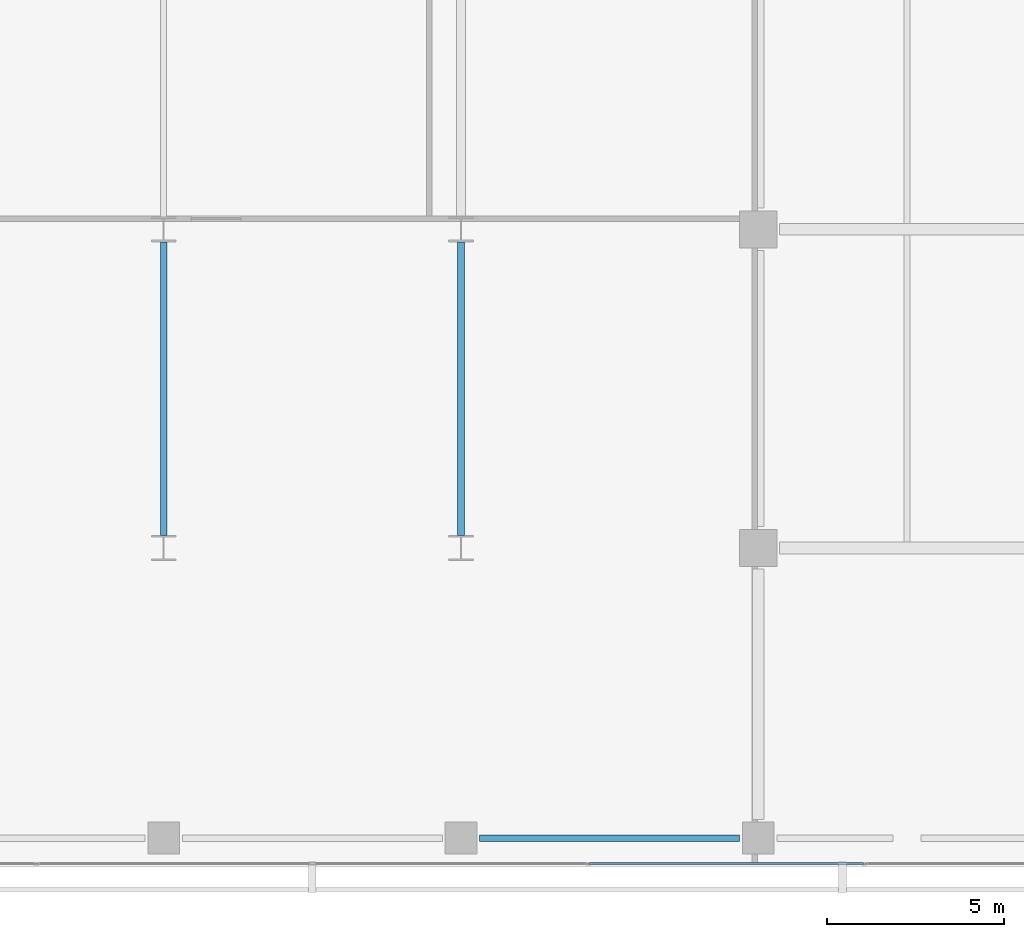
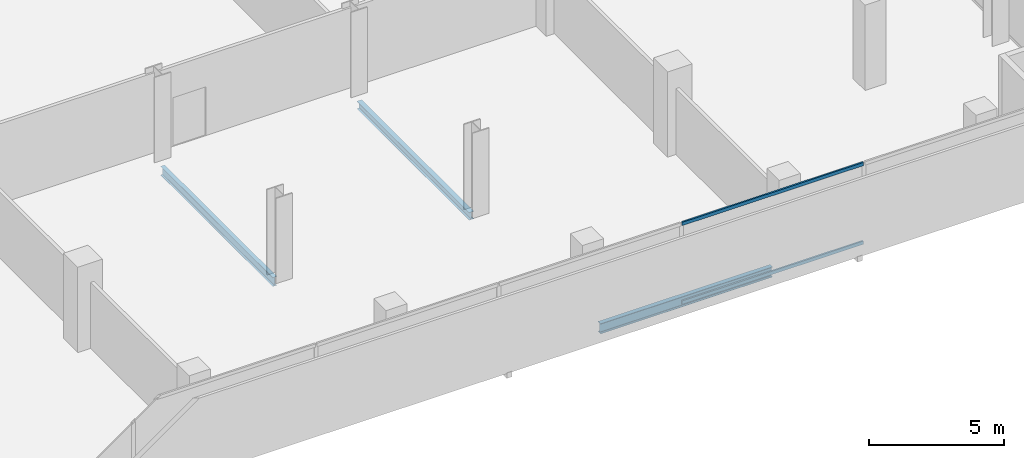
# One storey, part 9 of 31: 3 beams, 2 members, 1 element without a shape of its own.
"""IFC4 building model written with IfcOpenShell, lengths in metres."""

from ifc_helpers import new_model, si_unit, direction, frame, origin, origin_2d, place, context, subcontext, project, spatial, hollow_rectangle, i_section, extrude, material, layer, layer_set, material_profile, profile_set, type_object, element, aggregate, save


model = new_model("IFC4")

# Units and contexts
model_context = context("Model", 3, precision=1e-05, world=origin(), true_north=direction((0.0, 1.0)))
body_context = subcontext(model_context, "Body", "Model", "MODEL_VIEW")
ifc_project = project(units=[si_unit("LENGTHUNIT", "METRE"), si_unit("AREAUNIT", "SQUARE_METRE"), si_unit("VOLUMEUNIT", "CUBIC_METRE"), si_unit("PLANEANGLEUNIT", "RADIAN"), si_unit("MASSUNIT", "GRAM", prefix="KILO")], contexts=[model_context])

# Site, building, storey
site_placement = place(None, origin())
site = spatial("IfcSite", under=ifc_project, at=site_placement, CompositionType="ELEMENT")
building_placement = place(site_placement, origin())
building = spatial("IfcBuilding", under=site, at=building_placement, Name="Maruvema Waterfront Hotel and Observation Tower", CompositionType="ELEMENT")
storey_placement = place(building_placement, frame((0.0, 0.0, 26.949951171875)))
storey = spatial("IfcBuildingStorey", under=building, at=storey_placement, Name="L05", CompositionType="ELEMENT", Elevation=26.949951171875)

# Curtain wall, members
ifc_material_1 = material(Name="Anodised bronze aluminium and solar-control low-E IGU", Category="aluminium")
ifc_layer = layer(ifc_material_1, 0.159912109375, Name="Zone 1 Bronze Inner Thermal Curtain Wall System CW-02")
ifc_layer_set = layer_set([ifc_layer], Name="Anodised bronze aluminium and solar-control low-E IGU")
curtain_wall_type = type_object("IfcCurtainWallType", Name="Zone 1 Bronze Inner Thermal Curtain Wall System CW-02", PredefinedType="USERDEFINED", material=ifc_layer_set)
curtain_wall_placement = place(storey_placement, origin())
curtain_wall = element("IfcCurtainWall", 1, at=curtain_wall_placement, inside=storey, type_object=curtain_wall_type, Name="L05 Curtain Wall CW-L05-S", ObjectType="UNITISED CURTAIN WALL", PredefinedType="USERDEFINED")
ifc_material_2 = material(Name="Anodised architectural bronze aluminium", Category="aluminium")
ifc_material_profile_1 = material_profile(ifc_material_2, hollow_rectangle(XDim=0.070068359375, YDim=0.14990234375, WallThickness=0.00390625, at=origin_2d()), Name="ALU-T70x150")
ifc_profile_set_1 = profile_set([ifc_material_profile_1], Name="Anodised architectural bronze aluminium")
member_type = type_object("IfcMemberType", Name="Curtain Wall Horizontal Transom ALU-T70x150", PredefinedType="USERDEFINED", material=ifc_profile_set_1)
member_1_placement = place(storey_placement, frame((45.6298828125, 0.080078125, 0.030029296875), z_axis=(1.0, 0.0, 0.0), x_axis=(0.0, 1.0, 0.0)))
member_1 = element("IfcMember", 2, at=member_1_placement, type_object=member_type, Name="CW-02 transom 5.1", ObjectType="TRANSOM", PredefinedType="USERDEFINED", context=body_context, shape_type="SweptSolid", body=[
    extrude(hollow_rectangle(XDim=0.070068359375, YDim=0.14990234375, WallThickness=0.00390625, at=origin_2d()), origin(), (0.0, 0.0, 1.0), 7.740234375),
])
member_2_placement = place(storey_placement, frame((45.6298828125, 0.080078125, 3.580078125), z_axis=(1.0, 0.0, 0.0), x_axis=(0.0, 1.0, 0.0)))
member_2 = element("IfcMember", 3, at=member_2_placement, type_object=member_type, Name="CW-02 transom 5.2", ObjectType="TRANSOM", PredefinedType="USERDEFINED", context=body_context, shape_type="SweptSolid", body=[
    extrude(hollow_rectangle(XDim=0.070068359375, YDim=0.14990234375, WallThickness=0.00390625, at=origin_2d()), origin(), (0.0, 0.0, 1.0), 7.740234375),
])
aggregate(curtain_wall, [member_1, member_2])

# Beams
ifc_material_3 = material(Name="Steel ASTM A572 Grade 50", Category="steel")
ifc_material_profile_2 = material_profile(ifc_material_3, i_section(OverallWidth=0.18994140625, OverallDepth=0.45703125, WebThickness=0.009033203125, FlangeThickness=0.014404296875, FilletRadius=0.014892578125, at=origin_2d()), Name="W460x74.0")
ifc_profile_set_2 = profile_set([ifc_material_profile_2], Name="Steel ASTM A572 Grade 50")
beam_type_1 = type_object("IfcBeamType", Name="Perimeter Spandrel Beam W460x74.0", PredefinedType="SPANDREL", material=ifc_profile_set_2)
beam_1_placement = place(storey_placement, frame((42.52490234375, 0.800048828125, -0.468505859375), z_axis=(1.0, 0.0, 0.0), x_axis=(0.0, 1.0, 0.0)))
element("IfcBeam", 4, at=beam_1_placement, inside=storey, type_object=beam_type_1, Name="L05 Floor Girder EW-05", PredefinedType="SPANDREL", context=body_context, shape_type="SweptSolid", body=[
    extrude(i_section(OverallWidth=0.18994140625, OverallDepth=0.45703125, WebThickness=0.009033203125, FlangeThickness=0.014404296875, FilletRadius=0.014892578125, at=origin_2d()), origin(), (0.0, 0.0, 1.0), 7.35009765625),
])
ifc_material_4 = material(Name="Steel ASTM A572 Grade 50", Category="steel")
ifc_material_profile_3 = material_profile(ifc_material_4, i_section(OverallWidth=0.202880859375, OverallDepth=0.346923828125, WebThickness=0.0078125, FlangeThickness=0.013427734375, FilletRadius=0.014892578125, at=origin_2d()), Name="W360x64.0")
ifc_profile_set_3 = profile_set([ifc_material_profile_3], Name="Steel ASTM A572 Grade 50")
beam_type_2 = type_object("IfcBeamType", Name="Secondary Floor Joist W360x64.0", PredefinedType="JOIST", material=ifc_profile_set_3)
beam_2_placement = place(storey_placement, frame((42.0, 9.35009765625, -0.413330078125), z_axis=(0.0, 1.0, 0.0), x_axis=(-1.0, 0.0, 0.0)))
element("IfcBeam", 5, at=beam_2_placement, inside=storey, type_object=beam_type_2, Name="L05 Secondary Floor Joist JS-06", PredefinedType="JOIST", context=body_context, shape_type="SweptSolid", body=[
    extrude(i_section(OverallWidth=0.202880859375, OverallDepth=0.346923828125, WebThickness=0.0078125, FlangeThickness=0.013427734375, FilletRadius=0.014892578125, at=origin_2d()), origin(), (0.0, 0.0, 1.0), 8.2998046875),
])
ifc_material_5 = material(Name="Steel ASTM A572 Grade 50", Category="steel")
ifc_material_profile_4 = material_profile(ifc_material_5, i_section(OverallWidth=0.177001953125, OverallDepth=0.403076171875, WebThickness=0.007568359375, FlangeThickness=0.010986328125, FilletRadius=0.014892578125, at=origin_2d()), Name="W410x53.0")
ifc_profile_set_4 = profile_set([ifc_material_profile_4], Name="Steel ASTM A572 Grade 50")
beam_type_3 = type_object("IfcBeamType", Name="Secondary Floor Joist W410x53.0", PredefinedType="JOIST", material=ifc_profile_set_4)
beam_3_placement = place(storey_placement, frame((33.60009765625, 9.35009765625, -0.44140625), z_axis=(0.0, 1.0, 0.0), x_axis=(-1.0, 0.0, 0.0)))
element("IfcBeam", 6, at=beam_3_placement, inside=storey, type_object=beam_type_3, Name="L05 Secondary Floor Joist JS-05", PredefinedType="JOIST", context=body_context, shape_type="SweptSolid", body=[
    extrude(i_section(OverallWidth=0.177001953125, OverallDepth=0.403076171875, WebThickness=0.007568359375, FlangeThickness=0.010986328125, FilletRadius=0.014892578125, at=origin_2d()), origin(), (0.0, 0.0, 1.0), 8.2998046875),
])

save(model, "model.ifc")
